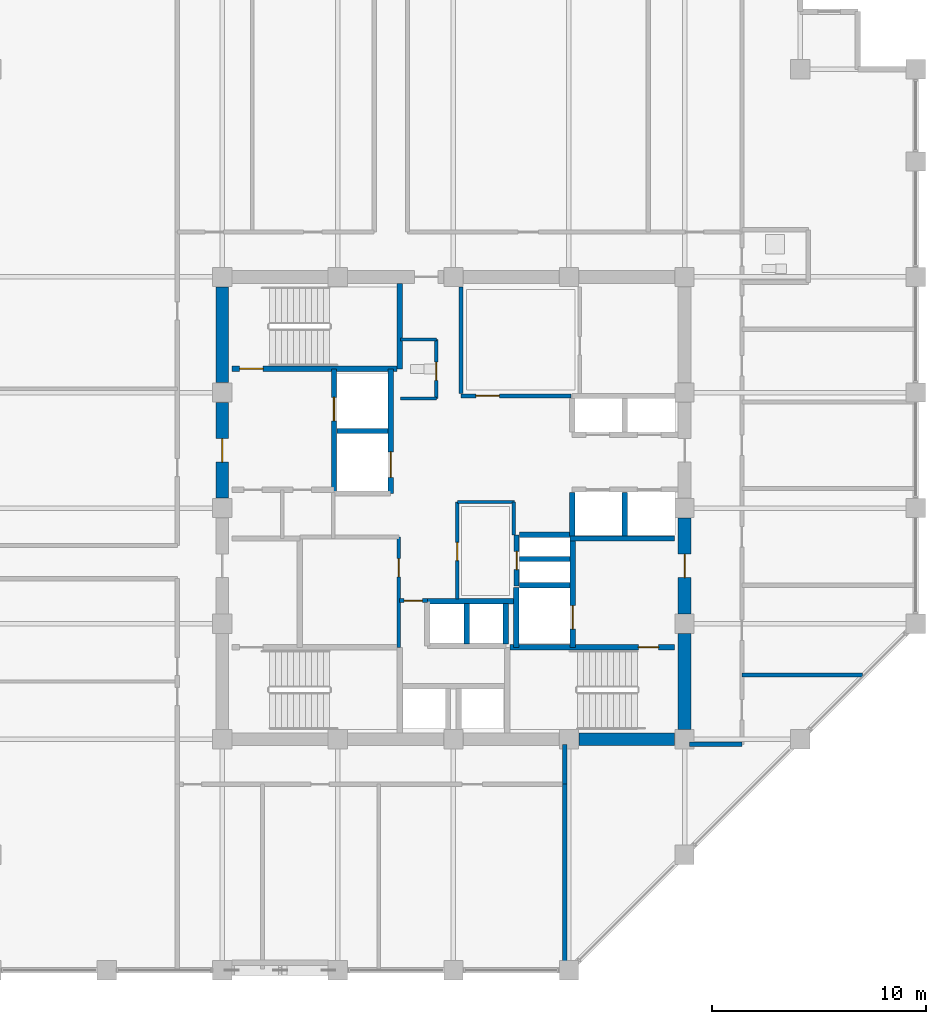
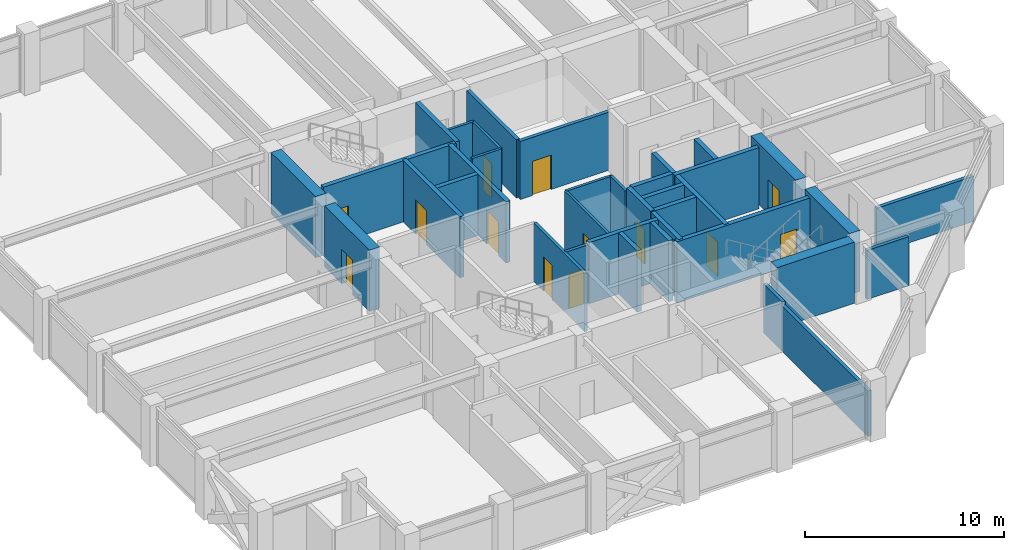
# One storey, part 28 of 32: 37 walls, 13 doors, 13 openings.
"""IFC4 building model written with IfcOpenShell, lengths in metres."""

from ifc_helpers import new_model, si_unit, direction, frame, frame_2d, origin, place, context, subcontext, project, spatial, rectangle, extrude, material, layer, layer_set, type_object, element, fill, save


model = new_model("IFC4")

# Units and contexts
model_context = context("Model", 3, precision=1e-05, world=origin(), true_north=direction((0.0, 1.0)))
body_context = subcontext(model_context, "Body", "Model", "MODEL_VIEW")
ifc_project = project(units=[si_unit("LENGTHUNIT", "METRE"), si_unit("AREAUNIT", "SQUARE_METRE"), si_unit("VOLUMEUNIT", "CUBIC_METRE"), si_unit("PLANEANGLEUNIT", "RADIAN"), si_unit("MASSUNIT", "GRAM", prefix="KILO")], contexts=[model_context])

# Site, building, storey
site_placement = place(None, origin())
site = spatial("IfcSite", under=ifc_project, at=site_placement, CompositionType="ELEMENT")
building_placement = place(site_placement, origin())
building = spatial("IfcBuilding", under=site, at=building_placement, Name="Surkhivell Harbour Commons", CompositionType="ELEMENT")
storey_placement = place(building_placement, frame((0.0, 0.0, 212.25)))
storey = spatial("IfcBuildingStorey", under=building, at=storey_placement, Name="L55", CompositionType="ELEMENT", Elevation=212.25)

# Wall
ifc_material_1 = material(Name="Concrete C60/75", Category="concrete")
ifc_layer_1 = layer(ifc_material_1, 0.60009765625)
ifc_layer_set_1 = layer_set([ifc_layer_1], Name="Concrete C60/75")
wall_type_1 = type_object("IfcWallType", Name="WAL-CORE-600", PredefinedType="SHEAR", material=ifc_layer_set_1)
wall_1_placement = place(storey_placement, frame((10.800048828125, -10.340087890625, 0.0), z_axis=(0.0, 0.0, 1.0), x_axis=(0.0, 1.0, 0.0)))
element("IfcWall", 1, at=wall_1_placement, inside=storey, type_object=wall_type_1, Name="L55 Core Shear Wall East 1", PredefinedType="SHEAR", context=body_context, shape_type="SweptSolid", body=[
    extrude(rectangle(XDim=4.47998046875, YDim=0.60009765625, at=frame_2d((2.239990234375, 0.0))), origin(), (0.0, 0.0, 1.0), 3.75),
])

# Wall, opening, door
wall_2_placement = place(storey_placement, frame((10.800048828125, -4.93994140625, 0.0), z_axis=(0.0, 0.0, 1.0), x_axis=(0.0, 1.0, 0.0)))
wall_2 = element("IfcWall", 2, at=wall_2_placement, inside=storey, type_object=wall_type_1, Name="L55 Core Shear Wall East 2", PredefinedType="SHEAR", context=body_context, shape_type="SweptSolid", body=[
    extrude(rectangle(XDim=4.47998046875, YDim=0.60009765625, at=frame_2d((2.239990234375, 0.0))), origin(), (0.0, 0.0, 1.0), 3.75),
])
opening_1_placement = place(wall_2_placement, frame((1.68994140625, 0.0, 0.0)))
opening_1 = element("IfcOpeningElement", 3, at=opening_1_placement, cuts=wall_2, Name="Opening ID-1", PredefinedType="OPENING", context=body_context, shape_type="SweptSolid", body=[
    extrude(rectangle(XDim=1.10009765625, YDim=2.10009765625, at=frame_2d((0.550048828125, 1.050048828125))), frame((0.0, 0.31005859375, 0.0), z_axis=(0.0, -1.0, 0.0), x_axis=(1.0, 0.0, 0.0)), (0.0, 0.0, 1.0), 0.6201171875),
])
ifc_material_2 = material(Name="Hardwood-veneered fire-rated door leaf", Category="wood")
door_type_1 = type_object("IfcDoorType", Name="DOR-FD120-1100", OperationType="NOTDEFINED", PredefinedType="DOOR", material=ifc_material_2)
door_1_placement = place(opening_1_placement, origin())
door_1 = element("IfcDoor", 4, at=door_1_placement, inside=storey, type_object=door_type_1, Name="L55 Firefighting Lobby 2 Corridor Door", OperationType="SINGLE_SWING_RIGHT", OverallHeight=2.10009765625, OverallWidth=1.10009765625, PredefinedType="DOOR", context=body_context, shape_type="SweptSolid", body=[
    extrude(rectangle(XDim=1.10009765625, YDim=2.10009765625, at=frame_2d((0.550048828125, 1.050048828125))), frame((0.0, 0.02490234375, 0.0), z_axis=(0.0, -1.0, 0.0), x_axis=(1.0, 0.0, 0.0)), (0.0, 0.0, 1.0), 0.050048828125),
])
fill(opening_1, door_1)

wall_3_placement = place(storey_placement, frame((-10.800048828125, 0.4599609375, 0.0), z_axis=(0.0, 0.0, 1.0), x_axis=(0.0, 1.0, 0.0)))
wall_3 = element("IfcWall", 5, at=wall_3_placement, inside=storey, type_object=wall_type_1, Name="L55 Core Shear Wall West 3", PredefinedType="SHEAR", context=body_context, shape_type="SweptSolid", body=[
    extrude(rectangle(XDim=4.47998046875, YDim=0.60009765625, at=frame_2d((2.239990234375, 0.0))), origin(), (0.0, 0.0, 1.0), 3.75),
])
opening_2_placement = place(wall_3_placement, frame((1.68994140625, 0.0, 0.0)))
opening_2 = element("IfcOpeningElement", 6, at=opening_2_placement, cuts=wall_3, Name="Opening ID-1", PredefinedType="OPENING", context=body_context, shape_type="SweptSolid", body=[
    extrude(rectangle(XDim=1.10009765625, YDim=2.10009765625, at=frame_2d((0.550048828125, 1.050048828125))), frame((0.0, 0.31005859375, 0.0), z_axis=(0.0, -1.0, 0.0), x_axis=(1.0, 0.0, 0.0)), (0.0, 0.0, 1.0), 0.6201171875),
])
door_2_placement = place(opening_2_placement, origin())
door_2 = element("IfcDoor", 7, at=door_2_placement, inside=storey, type_object=door_type_1, Name="L55 Firefighting Lobby 1 Corridor Door", OperationType="SINGLE_SWING_LEFT", OverallHeight=2.10009765625, OverallWidth=1.10009765625, PredefinedType="DOOR", context=body_context, shape_type="SweptSolid", body=[
    extrude(rectangle(XDim=1.10009765625, YDim=2.10009765625, at=frame_2d((0.550048828125, 1.050048828125))), frame((0.0, 0.02490234375, 0.0), z_axis=(0.0, -1.0, 0.0), x_axis=(1.0, 0.0, 0.0)), (0.0, 0.0, 1.0), 0.050048828125),
])
fill(opening_2, door_2)

# Walls
for number, where, z_axis, x_axis, name in (
    (8, (5.860107421875, -10.800048828125, 0.0), (0.0, 0.0, 1.0), (1.0, 0.0, 0.0), "L55 Core Shear Wall South 4"),
    (9, (-10.800048828125, 5.860107421875, 0.0), (0.0, 0.0, 1.0), (0.0, 1.0, 0.0), "L55 Core Shear Wall West 4"),
):
    element("IfcWall", number, at=place(storey_placement, frame(where, z_axis=z_axis, x_axis=x_axis)), inside=storey, type_object=wall_type_1, Name=name, PredefinedType="SHEAR", context=body_context, shape_type="SweptSolid", body=[
        extrude(rectangle(XDim=4.47998046875, YDim=0.60009765625, at=frame_2d((2.239990234375, 0.0))), origin(), (0.0, 0.0, 1.0), 3.75),
    ])

# Wall, opening, door
ifc_material_3 = material(Name="Twin-stud acoustic fireboard partition", Category="other")
ifc_layer_2 = layer(ifc_material_3, 0.14990234375)
ifc_layer_set_2 = layer_set([ifc_layer_2], Name="Twin-stud acoustic fireboard partition")
wall_type_2 = type_object("IfcWallType", Name="WAL-INT-150", PredefinedType="PARTITIONING", material=ifc_layer_set_2)
wall_4_placement = place(storey_placement, frame((-0.800048828125, 5.1201171875, 0.0), z_axis=(0.0, 0.0, 1.0), x_axis=(0.0, 1.0, 0.0)))
wall_4 = element("IfcWall", 10, at=wall_4_placement, inside=storey, type_object=wall_type_2, Name="L55 Core Accessible WC East Wall", PredefinedType="PARTITIONING", context=body_context, shape_type="SweptSolid", body=[
    extrude(rectangle(XDim=2.759765625, YDim=0.14990234375, at=frame_2d((1.3798828125, 0.0))), origin(), (0.0, 0.0, 1.0), 3.570068359375),
])
opening_3_placement = place(wall_4_placement, frame((0.85009765625, 0.0, 0.0)))
opening_3 = element("IfcOpeningElement", 11, at=opening_3_placement, cuts=wall_4, Name="Opening ID-6", PredefinedType="OPENING", context=body_context, shape_type="SweptSolid", body=[
    extrude(rectangle(XDim=0.85009765625, YDim=2.10009765625, at=frame_2d((0.425048828125, 1.050048828125))), frame((0.0, 0.0849609375, 0.0), z_axis=(0.0, -1.0, 0.0), x_axis=(1.0, 0.0, 0.0)), (0.0, 0.0, 1.0), 0.169921875),
])
door_type_2 = type_object("IfcDoorType", Name="DOR-FD30-850", OperationType="NOTDEFINED", PredefinedType="DOOR", material=ifc_material_2)
door_3_placement = place(opening_3_placement, origin())
door_3 = element("IfcDoor", 12, at=door_3_placement, inside=storey, type_object=door_type_2, Name="L55 Floor Accessible WC Door", OperationType="SINGLE_SWING_LEFT", OverallHeight=2.10009765625, OverallWidth=0.85009765625, PredefinedType="DOOR", context=body_context, shape_type="SweptSolid", body=[
    extrude(rectangle(XDim=0.85009765625, YDim=2.10009765625, at=frame_2d((0.425048828125, 1.050048828125))), frame((0.0, 0.02490234375, 0.0), z_axis=(0.0, -1.0, 0.0), x_axis=(1.0, 0.0, 0.0)), (0.0, 0.0, 1.0), 0.050048828125),
])
fill(opening_3, door_3)

# Walls
for number, where, z_axis, x_axis, name in (
    (13, (-2.47998046875, 7.8798828125, 0.0), (0.0, 0.0, 1.0), (1.0, 0.0, 0.0), "L55 Core Accessible WC North Wall"),
    (14, (-2.47998046875, 5.1201171875, 0.0), (0.0, 0.0, 1.0), (1.0, 0.0, 0.0), "L55 Core Accessible WC South Wall"),
):
    element("IfcWall", number, at=place(storey_placement, frame(where, z_axis=z_axis, x_axis=x_axis)), inside=storey, type_object=wall_type_2, Name=name, PredefinedType="PARTITIONING", context=body_context, shape_type="SweptSolid", body=[
        extrude(rectangle(XDim=1.679931640625, YDim=0.14990234375, at=frame_2d((0.83984375, 0.0))), origin(), (0.0, 0.0, 1.0), 3.570068359375),
    ])
wall_5_placement = place(storey_placement, frame((2.820068359375, -1.25, 0.0), z_axis=(0.0, 0.0, 1.0), x_axis=(0.0, 1.0, 0.0)))
element("IfcWall", 15, at=wall_5_placement, inside=storey, type_object=wall_type_2, Name="L55 Central Music East Wall", PredefinedType="PARTITIONING", context=body_context, shape_type="SweptSolid", body=[
    extrude(rectangle(XDim=1.530029296875, YDim=0.14990234375, at=frame_2d((0.76513671875, 0.0))), origin(), (0.0, 0.0, 1.0), 3.570068359375),
])
wall_6_placement = place(storey_placement, frame((0.179931640625, 0.280029296875, 0.0), z_axis=(0.0, 0.0, 1.0), x_axis=(1.0, 0.0, 0.0)))
element("IfcWall", 16, at=wall_6_placement, inside=storey, type_object=wall_type_2, Name="L55 Central Music North Wall", PredefinedType="PARTITIONING", context=body_context, shape_type="SweptSolid", body=[
    extrude(rectangle(XDim=2.670166015625, YDim=0.14990234375, at=frame_2d((1.3349609375, 0.0))), origin(), (0.0, 0.0, 1.0), 3.570068359375),
])

# Wall, opening, door
wall_7_placement = place(storey_placement, frame((0.179931640625, -4.25, 0.0), z_axis=(0.0, 0.0, 1.0), x_axis=(0.0, 1.0, 0.0)))
wall_7 = element("IfcWall", 17, at=wall_7_placement, inside=storey, type_object=wall_type_2, Name="L55 Central Music West Wall", PredefinedType="PARTITIONING", context=body_context, shape_type="SweptSolid", body=[
    extrude(rectangle(XDim=4.530029296875, YDim=0.14990234375, at=frame_2d((2.26513671875, 0.0))), origin(), (0.0, 0.0, 1.0), 3.570068359375),
])
opening_4_placement = place(wall_7_placement, frame((1.800048828125, 0.0, 0.0)))
opening_4 = element("IfcOpeningElement", 18, at=opening_4_placement, cuts=wall_7, Name="Opening ID-6", PredefinedType="OPENING", context=body_context, shape_type="SweptSolid", body=[
    extrude(rectangle(XDim=0.85009765625, YDim=2.10009765625, at=frame_2d((0.425048828125, 1.050048828125))), frame((0.0, 0.0849609375, 0.0), z_axis=(0.0, -1.0, 0.0), x_axis=(1.0, 0.0, 0.0)), (0.0, 0.0, 1.0), 0.169921875),
])
door_4_placement = place(opening_4_placement, origin())
door_4 = element("IfcDoor", 19, at=door_4_placement, inside=storey, type_object=door_type_2, Name="L55 Central Music Door", OperationType="SINGLE_SWING_RIGHT", OverallHeight=2.10009765625, OverallWidth=0.85009765625, PredefinedType="DOOR", context=body_context, shape_type="SweptSolid", body=[
    extrude(rectangle(XDim=0.85009765625, YDim=2.10009765625, at=frame_2d((0.425048828125, 1.050048828125))), frame((0.0, 0.02490234375, 0.0), z_axis=(0.0, -1.0, 0.0), x_axis=(1.0, 0.0, 0.0)), (0.0, 0.0, 1.0), 0.050048828125),
])
fill(opening_4, door_4)

ifc_material_4 = material(Name="High-density acoustic blockwork fire partition", Category="masonry")
ifc_layer_3 = layer(ifc_material_4, 0.175048828125)
ifc_layer_set_3 = layer_set([ifc_layer_3], Name="High-density acoustic blockwork fire partition")
wall_type_3 = type_object("IfcWallType", Name="WAL-INT-175", PredefinedType="PARTITIONING", material=ifc_layer_set_3)
wall_8_placement = place(storey_placement, frame((-2.550048828125, -6.510009765625, 0.0), z_axis=(0.0, 0.0, 1.0), x_axis=(0.0, 1.0, 0.0)))
wall_8 = element("IfcWall", 20, at=wall_8_placement, inside=storey, type_object=wall_type_3, Name="L55 Core Service Bay East Wall", PredefinedType="PARTITIONING", context=body_context, shape_type="SweptSolid", body=[
    extrude(rectangle(XDim=5.159912109375, YDim=0.175048828125, at=frame_2d((2.580078125, 0.0))), origin(), (0.0, 0.0, 1.0), 3.570068359375),
])
opening_5_placement = place(wall_8_placement, frame((3.300048828125, 0.0, 0.0)))
opening_5 = element("IfcOpeningElement", 21, at=opening_5_placement, cuts=wall_8, Name="Opening ID-6", PredefinedType="OPENING", context=body_context, shape_type="SweptSolid", body=[
    extrude(rectangle(XDim=0.85009765625, YDim=2.10009765625, at=frame_2d((0.425048828125, 1.050048828125))), frame((0.0, 0.097412109375, 0.0), z_axis=(0.0, -1.0, 0.0), x_axis=(1.0, 0.0, 0.0)), (0.0, 0.0, 1.0), 0.195068359375),
])
door_5_placement = place(opening_5_placement, origin())
door_5 = element("IfcDoor", 22, at=door_5_placement, inside=storey, type_object=door_type_2, Name="L55 Core Quiet Reading Door", OperationType="SINGLE_SWING_RIGHT", OverallHeight=2.10009765625, OverallWidth=0.85009765625, PredefinedType="DOOR", context=body_context, shape_type="SweptSolid", body=[
    extrude(rectangle(XDim=0.85009765625, YDim=2.10009765625, at=frame_2d((0.425048828125, 1.050048828125))), frame((0.0, 0.02490234375, 0.0), z_axis=(0.0, -1.0, 0.0), x_axis=(1.0, 0.0, 0.0)), (0.0, 0.0, 1.0), 0.050048828125),
])
fill(opening_5, door_5)

wall_9_placement = place(storey_placement, frame((-2.52001953125, -4.320068359375, 0.0), z_axis=(0.0, 0.0, 1.0), x_axis=(1.0, 0.0, 0.0)))
wall_9 = element("IfcWall", 23, at=wall_9_placement, inside=storey, type_object=wall_type_3, Name="L55 High-Rise Lobby North Portal Wall", PredefinedType="PARTITIONING", context=body_context, shape_type="SweptSolid", body=[
    extrude(rectangle(XDim=1.300048828125, YDim=0.175048828125, at=frame_2d((0.64990234375, 0.0))), origin(), (0.0, 0.0, 1.0), 3.570068359375),
])
opening_6_placement = place(wall_9_placement, frame((0.219970703125, 0.0, 0.0)))
opening_6 = element("IfcOpeningElement", 24, at=opening_6_placement, cuts=wall_9, Name="Opening ID-6", PredefinedType="OPENING", context=body_context, shape_type="SweptSolid", body=[
    extrude(rectangle(XDim=0.85009765625, YDim=2.10009765625, at=frame_2d((0.425048828125, 1.050048828125))), frame((0.0, 0.097412109375, 0.0), z_axis=(0.0, -1.0, 0.0), x_axis=(1.0, 0.0, 0.0)), (0.0, 0.0, 1.0), 0.195068359375),
])
door_6_placement = place(opening_6_placement, origin())
door_6 = element("IfcDoor", 25, at=door_6_placement, inside=storey, type_object=door_type_2, Name="L55 High-Rise Lift Lobby North Door", OperationType="SINGLE_SWING_LEFT", OverallHeight=2.10009765625, OverallWidth=0.85009765625, PredefinedType="DOOR", context=body_context, shape_type="SweptSolid", body=[
    extrude(rectangle(XDim=0.85009765625, YDim=2.10009765625, at=frame_2d((0.425048828125, 1.050048828125))), frame((0.0, 0.02490234375, 0.0), z_axis=(0.0, -1.0, 0.0), x_axis=(1.0, 0.0, 0.0)), (0.0, 0.0, 1.0), 0.050048828125),
])
fill(opening_6, door_6)

ifc_material_5 = material(Name="Autoclaved aerated concrete blockwork and fire plaster", Category="masonry")
ifc_layer_4 = layer(ifc_material_5, 0.199951171875)
ifc_layer_set_4 = layer_set([ifc_layer_4], Name="Autoclaved aerated concrete blockwork and fire plaster")
wall_type_4 = type_object("IfcWallType", Name="WAL-INT-200", PredefinedType="PARTITIONING", material=ifc_layer_set_4)
wall_10_placement = place(storey_placement, frame((0.35009765625, 5.239990234375, 0.0), z_axis=(0.0, 0.0, 1.0), x_axis=(1.0, 0.0, 0.0)))
wall_10 = element("IfcWall", 26, at=wall_10_placement, inside=storey, type_object=wall_type_4, Name="L55 Reclaimed Core North Bay South Wall", PredefinedType="PARTITIONING", context=body_context, shape_type="SweptSolid", body=[
    extrude(rectangle(XDim=5.14990234375, YDim=0.199951171875, at=frame_2d((2.574951171875, 0.0))), origin(), (0.0, 0.0, 1.0), 3.570068359375),
])
opening_7_placement = place(wall_10_placement, frame((0.699951171875, 0.0, 0.0)))
opening_7 = element("IfcOpeningElement", 27, at=opening_7_placement, cuts=wall_10, Name="Opening ID-2", PredefinedType="OPENING", context=body_context, shape_type="SweptSolid", body=[
    extrude(rectangle(XDim=1.10009765625, YDim=2.10009765625, at=frame_2d((0.550048828125, 1.050048828125))), frame((0.0, 0.10986328125, 0.0), z_axis=(0.0, -1.0, 0.0), x_axis=(1.0, 0.0, 0.0)), (0.0, 0.0, 1.0), 0.219970703125),
])
door_type_3 = type_object("IfcDoorType", Name="DOR-FD60-1100", OperationType="NOTDEFINED", PredefinedType="DOOR", material=ifc_material_2)
door_7_placement = place(opening_7_placement, origin())
door_7 = element("IfcDoor", 28, at=door_7_placement, inside=storey, type_object=door_type_3, Name="L55 Core Seminar Door", OperationType="SINGLE_SWING_LEFT", OverallHeight=2.10009765625, OverallWidth=1.10009765625, PredefinedType="DOOR", context=body_context, shape_type="SweptSolid", body=[
    extrude(rectangle(XDim=1.10009765625, YDim=2.10009765625, at=frame_2d((0.550048828125, 1.050048828125))), frame((0.0, 0.02490234375, 0.0), z_axis=(0.0, -1.0, 0.0), x_axis=(1.0, 0.0, 0.0)), (0.0, 0.0, 1.0), 0.050048828125),
])
fill(opening_7, door_7)

# Walls
wall_11_placement = place(storey_placement, frame((0.35009765625, 5.360107421875, 0.0), z_axis=(0.0, 0.0, 1.0), x_axis=(0.0, 1.0, 0.0)))
element("IfcWall", 29, at=wall_11_placement, inside=storey, type_object=wall_type_4, Name="L55 Reclaimed Core North Bay West Wall", PredefinedType="PARTITIONING", context=body_context, shape_type="SweptSolid", body=[
    extrude(rectangle(XDim=4.97998046875, YDim=0.199951171875, at=frame_2d((2.489990234375, 0.0))), origin(), (0.0, 0.0, 1.0), 3.570068359375),
])
wall_12_placement = place(storey_placement, frame((5.199951171875, -21.5400390625, 0.0), z_axis=(0.0, 0.0, 1.0), x_axis=(0.0, 1.0, 0.0)))
element("IfcWall", 30, at=wall_12_placement, inside=storey, type_object=wall_type_4, Name="L55 South-East Corner Wall", PredefinedType="PARTITIONING", context=body_context, shape_type="SweptSolid", body=[
    extrude(rectangle(XDim=8.64013671875, YDim=0.199951171875, at=frame_2d((4.320068359375, 0.0))), origin(), (0.0, 0.0, 1.0), 2.780029296875),
])
wall_13_placement = place(storey_placement, frame((11.0400390625, -11.0400390625, 0.0), z_axis=(0.0, 0.0, 1.0), x_axis=(1.0, 0.0, 0.0)))
element("IfcWall", 31, at=wall_13_placement, inside=storey, type_object=wall_type_4, Name="L55 Corridor East South Closure Wall", PredefinedType="PARTITIONING", context=body_context, shape_type="SweptSolid", body=[
    extrude(rectangle(XDim=2.43994140625, YDim=0.199951171875, at=frame_2d((1.219970703125, 0.0))), origin(), (0.0, 0.0, 1.0), 3.006103515625),
])
wall_14_placement = place(storey_placement, frame((5.199951171875, -12.89990234375, 0.0), z_axis=(0.0, 0.0, 1.0), x_axis=(0.0, 1.0, 0.0)))
element("IfcWall", 32, at=wall_14_placement, inside=storey, type_object=wall_type_4, Name="L55 Corridor South End Wall", PredefinedType="PARTITIONING", context=body_context, shape_type="SweptSolid", body=[
    extrude(rectangle(XDim=1.85986328125, YDim=0.199951171875, at=frame_2d((0.929931640625, 0.0))), origin(), (0.0, 0.0, 1.0), 3.006103515625),
])
wall_15_placement = place(storey_placement, frame((13.47998046875, -7.800048828125, 0.0), z_axis=(0.0, 0.0, 1.0), x_axis=(1.0, 0.0, 0.0)))
element("IfcWall", 33, at=wall_15_placement, inside=storey, type_object=wall_type_4, Name="L55 East Partition PBOT", PredefinedType="PARTITIONING", context=body_context, shape_type="SweptSolid", body=[
    extrude(rectangle(XDim=5.63525390625, YDim=0.199951171875, at=frame_2d((2.817626953125, 0.0))), origin(), (0.0, 0.0, 1.0), 2.780029296875),
])

# Wall, opening, door
ifc_material_6 = material(Name="Concrete C50/60", Category="concrete")
ifc_layer_5 = layer(ifc_material_6, 0.25)
ifc_layer_set_5 = layer_set([ifc_layer_5], Name="Concrete C50/60")
wall_type_5 = type_object("IfcWallType", Name="WAL-SHAFT-250", PredefinedType="SHEAR", material=ifc_layer_set_5)
wall_16_placement = place(storey_placement, frame((-5.580078125, 0.719970703125, 0.0), z_axis=(0.0, 0.0, 1.0), x_axis=(0.0, 1.0, 0.0)))
wall_16 = element("IfcWall", 34, at=wall_16_placement, inside=storey, type_object=wall_type_5, Name="L55 Firefighting Lobby 1 East Shaft Wall", PredefinedType="SHEAR", context=body_context, shape_type="SweptSolid", body=[
    extrude(rectangle(XDim=5.7900390625, YDim=0.25, at=frame_2d((2.89501953125, 0.0))), origin(), (0.0, 0.0, 1.0), 3.75),
])
opening_8_placement = place(wall_16_placement, frame((3.35009765625, 0.0, 0.0)))
opening_8 = element("IfcOpeningElement", 35, at=opening_8_placement, cuts=wall_16, Name="Opening LD-1", PredefinedType="OPENING", context=body_context, shape_type="SweptSolid", body=[
    extrude(rectangle(XDim=1.10009765625, YDim=2.10009765625, at=frame_2d((0.550048828125, 1.050048828125))), frame((0.0, 0.135009765625, 0.0), z_axis=(0.0, -1.0, 0.0), x_axis=(1.0, 0.0, 0.0)), (0.0, 0.0, 1.0), 0.27001953125),
])
ifc_material_7 = material(Name="Brushed stainless steel S355", Category="steel")
door_type_4 = type_object("IfcDoorType", Name="DOR-LD-1100", OperationType="SLIDING_TO_LEFT", PredefinedType="DOOR", material=ifc_material_7)
door_8_placement = place(opening_8_placement, origin())
door_8 = element("IfcDoor", 36, at=door_8_placement, inside=storey, type_object=door_type_4, Name="L55 Lift Landing Door LD-FFL1", OperationType="SLIDING_TO_LEFT", OverallHeight=2.10009765625, OverallWidth=1.10009765625, PredefinedType="DOOR", context=body_context, shape_type="SweptSolid", body=[
    extrude(rectangle(XDim=1.10009765625, YDim=2.10009765625, at=frame_2d((0.550048828125, 1.050048828125))), frame((0.0, 0.02490234375, 0.0), z_axis=(0.0, -1.0, 0.0), x_axis=(1.0, 0.0, 0.0)), (0.0, 0.0, 1.0), 0.050048828125),
])
fill(opening_8, door_8)

# Walls
wall_17_placement = place(storey_placement, frame((2.929931640625, -6.510009765625, 0.0), z_axis=(0.0, 0.0, 1.0), x_axis=(0.0, 1.0, 0.0)))
element("IfcWall", 37, at=wall_17_placement, inside=storey, type_object=wall_type_5, Name="L55 FFL2 West Shaft Wall", PredefinedType="SHEAR", context=body_context, shape_type="SweptSolid", body=[
    extrude(rectangle(XDim=2.7900390625, YDim=0.25, at=frame_2d((1.39501953125, 0.0))), origin(), (0.0, 0.0, 1.0), 3.75),
])
wall_18_placement = place(storey_placement, frame((5.43994140625, -1.419921875, 0.0), z_axis=(0.0, 0.0, 1.0), x_axis=(1.0, 0.0, 0.0)))
element("IfcWall", 38, at=wall_18_placement, inside=storey, type_object=wall_type_5, Name="L55 Firefighting Lobby 2 North Wall", PredefinedType="SHEAR", context=body_context, shape_type="SweptSolid", body=[
    extrude(rectangle(XDim=4.900146484375, YDim=0.25, at=frame_2d((2.4501953125, 0.0))), origin(), (0.0, 0.0, 1.0), 3.75),
])
wall_19_placement = place(storey_placement, frame((3.080078125, -3.60009765625, 0.0), z_axis=(0.0, 0.0, 1.0), x_axis=(1.0, 0.0, 0.0)))
element("IfcWall", 39, at=wall_19_placement, inside=storey, type_object=wall_type_5, Name="L55 FFL2 North Shaft Wall", PredefinedType="SHEAR", context=body_context, shape_type="SweptSolid", body=[
    extrude(rectangle(XDim=2.369873046875, YDim=0.25, at=frame_2d((1.18505859375, 0.0))), origin(), (0.0, 0.0, 1.0), 3.75),
])

# Wall, opening, door
wall_20_placement = place(storey_placement, frame((5.580078125, -6.510009765625, 0.0), z_axis=(0.0, 0.0, 1.0), x_axis=(0.0, 1.0, 0.0)))
wall_20 = element("IfcWall", 40, at=wall_20_placement, inside=storey, type_object=wall_type_5, Name="L55 Firefighting Lobby 2 West Shaft Wall", PredefinedType="SHEAR", context=body_context, shape_type="SweptSolid", body=[
    extrude(rectangle(XDim=5.090087890625, YDim=0.25, at=frame_2d((2.544921875, 0.0))), origin(), (0.0, 0.0, 1.0), 3.75),
])
opening_9_placement = place(wall_20_placement, frame((0.85009765625, 0.0, 0.0)))
opening_9 = element("IfcOpeningElement", 41, at=opening_9_placement, cuts=wall_20, Name="Opening LD-1", PredefinedType="OPENING", context=body_context, shape_type="SweptSolid", body=[
    extrude(rectangle(XDim=1.10009765625, YDim=2.10009765625, at=frame_2d((0.550048828125, 1.050048828125))), frame((0.0, 0.135009765625, 0.0), z_axis=(0.0, -1.0, 0.0), x_axis=(1.0, 0.0, 0.0)), (0.0, 0.0, 1.0), 0.27001953125),
])
door_9_placement = place(opening_9_placement, origin())
door_9 = element("IfcDoor", 42, at=door_9_placement, inside=storey, type_object=door_type_4, Name="L55 Lift Landing Door LD-FFL2", OperationType="SLIDING_TO_RIGHT", OverallHeight=2.10009765625, OverallWidth=1.10009765625, PredefinedType="DOOR", context=body_context, shape_type="SweptSolid", body=[
    extrude(rectangle(XDim=1.10009765625, YDim=2.10009765625, at=frame_2d((0.550048828125, 1.050048828125))), frame((0.0, 0.02490234375, 0.0), z_axis=(0.0, -1.0, 0.0), x_axis=(1.0, 0.0, 0.0)), (0.0, 0.0, 1.0), 0.050048828125),
])
fill(opening_9, door_9)

# Walls
for number, where, z_axis, x_axis, name in (
    (43, (0.6201171875, -6.340087890625, 0.0), (0.0, 0.0, 1.0), (0.0, 1.0, 0.0), "L55 High-Rise Side Wall N"),
    (44, (2.449951171875, -6.340087890625, 0.0), (0.0, 0.0, 1.0), (0.0, 1.0, 0.0), "L55 High-Rise Side Wall N"),
):
    element("IfcWall", number, at=place(storey_placement, frame(where, z_axis=z_axis, x_axis=x_axis)), inside=storey, type_object=wall_type_5, Name=name, PredefinedType="SHEAR", context=body_context, shape_type="SweptSolid", body=[
        extrude(rectangle(XDim=1.880126953125, YDim=0.25, at=frame_2d((0.93994140625, 0.0))), origin(), (0.0, 0.0, 1.0), 3.75),
    ])
wall_21_placement = place(storey_placement, frame((-1.219970703125, -4.360107421875, 0.0), z_axis=(0.0, 0.0, 1.0), x_axis=(1.0, 0.0, 0.0)))
element("IfcWall", 45, at=wall_21_placement, inside=storey, type_object=wall_type_5, Name="L55 High-Rise North Back Shaft Wall", PredefinedType="SHEAR", context=body_context, shape_type="SweptSolid", body=[
    extrude(rectangle(XDim=4.030029296875, YDim=0.25, at=frame_2d((2.01513671875, 0.0))), origin(), (0.0, 0.0, 1.0), 3.75),
])
for number, where, z_axis, x_axis, name in (
    (46, (5.550048828125, -1.300048828125, 0.0), (0.0, 0.0, 1.0), (0.0, 1.0, 0.0), "L55 Mid-Rise Shaft Side Wall S"),
    (47, (8.0, -1.300048828125, 0.0), (0.0, 0.0, 1.0), (0.0, 1.0, 0.0), "L55 Mid-Rise Shaft Side Wall S"),
):
    element("IfcWall", number, at=place(storey_placement, frame(where, z_axis=z_axis, x_axis=x_axis)), inside=storey, type_object=wall_type_5, Name=name, PredefinedType="SHEAR", context=body_context, shape_type="SweptSolid", body=[
        extrude(rectangle(XDim=2.0400390625, YDim=0.25, at=frame_2d((1.02001953125, 0.0))), origin(), (0.0, 0.0, 1.0), 3.75),
    ])
for number, where, z_axis, x_axis, name in (
    (48, (3.080078125, -2.3798828125, 0.0), (0.0, 0.0, 1.0), (1.0, 0.0, 0.0), "L55 Riser Divider Wall"),
    (49, (3.080078125, -1.25, 0.0), (0.0, 0.0, 1.0), (1.0, 0.0, 0.0), "L55 Riser North Wall"),
):
    element("IfcWall", number, at=place(storey_placement, frame(where, z_axis=z_axis, x_axis=x_axis)), inside=storey, type_object=wall_type_5, Name=name, PredefinedType="SHEAR", context=body_context, shape_type="SweptSolid", body=[
        extrude(rectangle(XDim=2.369873046875, YDim=0.25, at=frame_2d((1.18505859375, 0.0))), origin(), (0.0, 0.0, 1.0), 3.75),
    ])

# Wall, opening, door
wall_22_placement = place(storey_placement, frame((2.949951171875, -3.64990234375, 0.0), z_axis=(0.0, 0.0, 1.0), x_axis=(0.0, 1.0, 0.0)))
wall_22 = element("IfcWall", 50, at=wall_22_placement, inside=storey, type_object=wall_type_5, Name="L55 Riser Shaft West Wall", PredefinedType="SHEAR", context=body_context, shape_type="SweptSolid", body=[
    extrude(rectangle(XDim=2.39990234375, YDim=0.25, at=frame_2d((1.199951171875, 0.0))), origin(), (0.0, 0.0, 1.0), 3.75),
])
opening_10_placement = place(wall_22_placement, frame((0.77490234375, 0.0, 0.0)))
opening_10 = element("IfcOpeningElement", 51, at=opening_10_placement, cuts=wall_22, Name="Opening ID-6", PredefinedType="OPENING", context=body_context, shape_type="SweptSolid", body=[
    extrude(rectangle(XDim=0.85009765625, YDim=2.10009765625, at=frame_2d((0.425048828125, 1.050048828125))), frame((0.0, 0.135009765625, 0.0), z_axis=(0.0, -1.0, 0.0), x_axis=(1.0, 0.0, 0.0)), (0.0, 0.0, 1.0), 0.27001953125),
])
door_10_placement = place(opening_10_placement, origin())
door_10 = element("IfcDoor", 52, at=door_10_placement, inside=storey, type_object=door_type_2, Name="L55 Electrical Riser Access Door", OperationType="SINGLE_SWING_LEFT", OverallHeight=2.10009765625, OverallWidth=0.85009765625, PredefinedType="DOOR", context=body_context, shape_type="SweptSolid", body=[
    extrude(rectangle(XDim=0.85009765625, YDim=2.10009765625, at=frame_2d((0.425048828125, 1.050048828125))), frame((0.0, 0.02490234375, 0.0), z_axis=(0.0, -1.0, 0.0), x_axis=(1.0, 0.0, 0.0)), (0.0, 0.0, 1.0), 0.050048828125),
])
fill(opening_10, door_10)

# Wall
wall_23_placement = place(storey_placement, frame((-2.510009765625, 6.510009765625, 0.0), z_axis=(0.0, 0.0, 1.0), x_axis=(0.0, 1.0, 0.0)))
element("IfcWall", 53, at=wall_23_placement, inside=storey, type_object=wall_type_5, Name="L55 Stair ST1 East Shear Wall", PredefinedType="SHEAR", context=body_context, shape_type="SweptSolid", body=[
    extrude(rectangle(XDim=3.989990234375, YDim=0.25, at=frame_2d((1.9951171875, 0.0))), origin(), (0.0, 0.0, 1.0), 3.75),
])

# Wall, opening, door
wall_24_placement = place(storey_placement, frame((-10.340087890625, 6.510009765625, 0.0), z_axis=(0.0, 0.0, 1.0), x_axis=(1.0, 0.0, 0.0)))
wall_24 = element("IfcWall", 54, at=wall_24_placement, inside=storey, type_object=wall_type_5, Name="L55 Stair ST1 South Shear Wall", PredefinedType="SHEAR", context=body_context, shape_type="SweptSolid", body=[
    extrude(rectangle(XDim=7.7001953125, YDim=0.25, at=frame_2d((3.85009765625, 0.0))), origin(), (0.0, 0.0, 1.0), 3.75),
])
opening_11_placement = place(wall_24_placement, frame((0.35009765625, 0.0, 0.0)))
opening_11 = element("IfcOpeningElement", 55, at=opening_11_placement, cuts=wall_24, Name="Opening ID-2", PredefinedType="OPENING", context=body_context, shape_type="SweptSolid", body=[
    extrude(rectangle(XDim=1.10009765625, YDim=2.10009765625, at=frame_2d((0.550048828125, 1.050048828125))), frame((0.0, 0.135009765625, 0.0), z_axis=(0.0, -1.0, 0.0), x_axis=(1.0, 0.0, 0.0)), (0.0, 0.0, 1.0), 0.27001953125),
])
door_11_placement = place(opening_11_placement, origin())
door_11 = element("IfcDoor", 56, at=door_11_placement, inside=storey, type_object=door_type_3, Name="L55 Stair ST1 Exit Door", OperationType="SINGLE_SWING_LEFT", OverallHeight=2.10009765625, OverallWidth=1.10009765625, PredefinedType="DOOR", context=body_context, shape_type="SweptSolid", body=[
    extrude(rectangle(XDim=1.10009765625, YDim=2.10009765625, at=frame_2d((0.550048828125, 1.050048828125))), frame((0.0, 0.02490234375, 0.0), z_axis=(0.0, -1.0, 0.0), x_axis=(1.0, 0.0, 0.0)), (0.0, 0.0, 1.0), 0.050048828125),
])
fill(opening_11, door_11)

wall_25_placement = place(storey_placement, frame((2.639892578125, -6.510009765625, 0.0), z_axis=(0.0, 0.0, 1.0), x_axis=(1.0, 0.0, 0.0)))
wall_25 = element("IfcWall", 57, at=wall_25_placement, inside=storey, type_object=wall_type_5, Name="L55 Stair ST2 North Shear Wall", PredefinedType="SHEAR", context=body_context, shape_type="SweptSolid", body=[
    extrude(rectangle(XDim=7.7001953125, YDim=0.25, at=frame_2d((3.85009765625, 0.0))), origin(), (0.0, 0.0, 1.0), 3.75),
])
opening_12_placement = place(wall_25_placement, frame((6.0, 0.0, 0.0)))
opening_12 = element("IfcOpeningElement", 58, at=opening_12_placement, cuts=wall_25, Name="Opening ID-4", PredefinedType="OPENING", context=body_context, shape_type="SweptSolid", body=[
    extrude(rectangle(XDim=0.949951171875, YDim=2.10009765625, at=frame_2d((0.47509765625, 1.050048828125))), frame((0.0, 0.135009765625, 0.0), z_axis=(0.0, -1.0, 0.0), x_axis=(1.0, 0.0, 0.0)), (0.0, 0.0, 1.0), 0.27001953125),
])
door_type_5 = type_object("IfcDoorType", Name="DOR-FD60-950", OperationType="NOTDEFINED", PredefinedType="DOOR", material=ifc_material_2)
door_12_placement = place(opening_12_placement, origin())
door_12 = element("IfcDoor", 59, at=door_12_placement, inside=storey, type_object=door_type_5, Name="L55 Stair ST2 Exit Door", OperationType="SINGLE_SWING_RIGHT", OverallHeight=2.10009765625, OverallWidth=0.949951171875, PredefinedType="DOOR", context=body_context, shape_type="SweptSolid", body=[
    extrude(rectangle(XDim=0.949951171875, YDim=2.10009765625, at=frame_2d((0.47509765625, 1.050048828125))), frame((0.0, 0.02490234375, 0.0), z_axis=(0.0, -1.0, 0.0), x_axis=(1.0, 0.0, 0.0)), (0.0, 0.0, 1.0), 0.050048828125),
])
fill(opening_12, door_12)

wall_26_placement = place(storey_placement, frame((-2.929931640625, 0.679931640625, 0.0), z_axis=(0.0, 0.0, 1.0), x_axis=(0.0, 1.0, 0.0)))
wall_26 = element("IfcWall", 60, at=wall_26_placement, inside=storey, type_object=wall_type_5, Name="L55 Service and Fire Lift East Shaft Wall", PredefinedType="SHEAR", context=body_context, shape_type="SweptSolid", body=[
    extrude(rectangle(XDim=5.830078125, YDim=0.25, at=frame_2d((2.9150390625, 0.0))), origin(), (0.0, 0.0, 1.0), 3.75),
])
opening_13_placement = place(wall_26_placement, frame((0.75, 0.0, 0.0)))
opening_13 = element("IfcOpeningElement", 61, at=opening_13_placement, cuts=wall_26, Name="Opening LD-2", PredefinedType="OPENING", context=body_context, shape_type="SweptSolid", body=[
    extrude(rectangle(XDim=1.199951171875, YDim=2.10009765625, at=frame_2d((0.60009765625, 1.050048828125))), frame((0.0, 0.135009765625, 0.0), z_axis=(0.0, -1.0, 0.0), x_axis=(1.0, 0.0, 0.0)), (0.0, 0.0, 1.0), 0.27001953125),
])
door_type_6 = type_object("IfcDoorType", Name="DOR-LD-1200", OperationType="SLIDING_TO_LEFT", PredefinedType="DOOR", material=ifc_material_7)
door_13_placement = place(opening_13_placement, origin())
door_13 = element("IfcDoor", 62, at=door_13_placement, inside=storey, type_object=door_type_6, Name="L55 Lift Landing Door LD-SVL1", OperationType="SLIDING_TO_LEFT", OverallHeight=2.10009765625, OverallWidth=1.199951171875, PredefinedType="DOOR", context=body_context, shape_type="SweptSolid", body=[
    extrude(rectangle(XDim=1.199951171875, YDim=2.10009765625, at=frame_2d((0.60009765625, 1.050048828125))), frame((0.0, 0.02490234375, 0.0), z_axis=(0.0, -1.0, 0.0), x_axis=(1.0, 0.0, 0.0)), (0.0, 0.0, 1.0), 0.050048828125),
])
fill(opening_13, door_13)

# Wall
wall_27_placement = place(storey_placement, frame((-5.449951171875, 3.60009765625, 0.0), z_axis=(0.0, 0.0, 1.0), x_axis=(1.0, 0.0, 0.0)))
element("IfcWall", 63, at=wall_27_placement, inside=storey, type_object=wall_type_5, Name="L55 FFL1/SVL1 Shaft Divider", PredefinedType="SHEAR", context=body_context, shape_type="SweptSolid", body=[
    extrude(rectangle(XDim=2.389892578125, YDim=0.25, at=frame_2d((1.19482421875, 0.0))), origin(), (0.0, 0.0, 1.0), 3.75),
])

save(model, "model.ifc")
